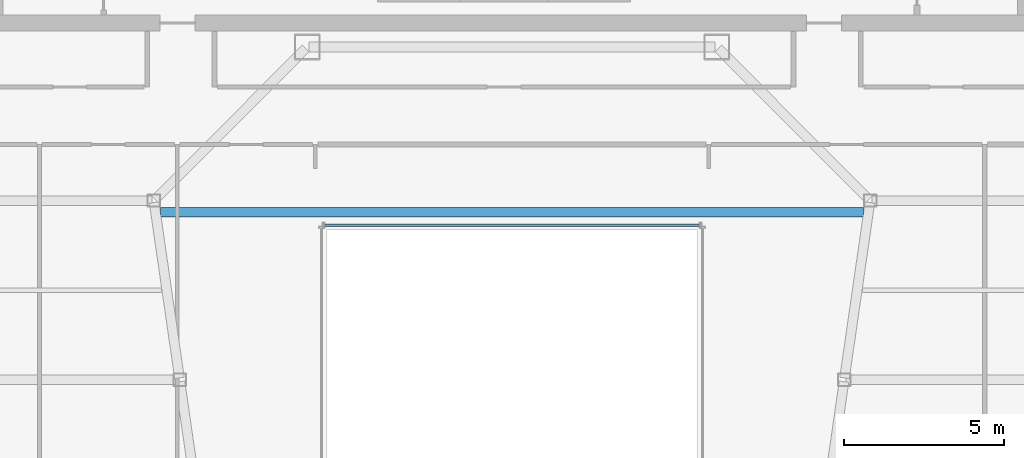
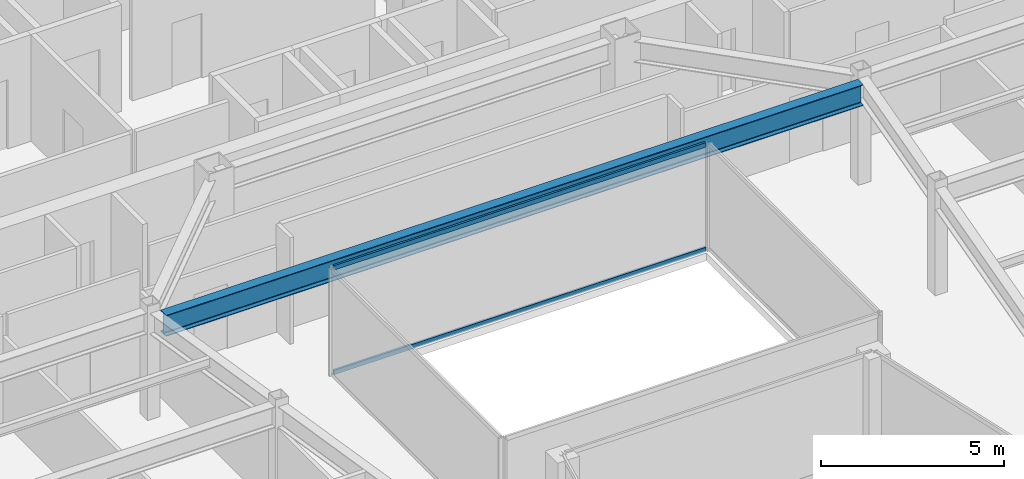
# One storey, part 14 of 35: 2 members, 1 beam, 1 element without a shape of its own.
"""IFC4 building model written with IfcOpenShell, lengths in metres."""

from ifc_helpers import new_model, si_unit, direction, frame, origin, origin_2d, place, context, subcontext, project, spatial, hollow_rectangle, i_section, extrude, material, material_profile, profile_set, type_object, element, aggregate, save


model = new_model("IFC4")

# Units and contexts
model_context = context("Model", 3, precision=1e-05, world=origin(), true_north=direction((0.0, 1.0)))
body_context = subcontext(model_context, "Body", "Model", "MODEL_VIEW")
ifc_project = project(units=[si_unit("LENGTHUNIT", "METRE"), si_unit("AREAUNIT", "SQUARE_METRE"), si_unit("VOLUMEUNIT", "CUBIC_METRE"), si_unit("PLANEANGLEUNIT", "RADIAN"), si_unit("MASSUNIT", "GRAM", prefix="KILO")], contexts=[model_context])

# Site, building, storey
site_placement = place(None, origin())
site = spatial("IfcSite", under=ifc_project, at=site_placement, CompositionType="ELEMENT")
building_placement = place(site_placement, origin())
building = spatial("IfcBuilding", under=site, at=building_placement, Name="Saevonmaru Cultural Tower", CompositionType="ELEMENT")
storey_placement = place(building_placement, frame((0.0, 0.0, 190.39990234375)))
storey = spatial("IfcBuildingStorey", under=building, at=storey_placement, Name="L43", CompositionType="ELEMENT", Elevation=190.39990234375)

# Beam
ifc_material_1 = material(Name="Steel SM355", Category="steel")
ifc_material_profile_1 = material_profile(ifc_material_1, i_section(OverallWidth=0.300048828125, OverallDepth=0.699951171875, WebThickness=0.012939453125, FlangeThickness=0.02392578125, FilletRadius=0.02587890625, at=origin_2d()), Name="H-700x300x13x24")
ifc_profile_set_1 = profile_set([ifc_material_profile_1], Name="Steel SM355")
beam_type = type_object("IfcBeamType", Name="BM-G-H700", PredefinedType="BEAM", material=ifc_profile_set_1)
beam_placement = place(storey_placement, frame((19.01806640625, 37.239990234375, 3.2001953125), z_axis=(1.0, 0.0, 0.0), x_axis=(0.0, 1.0, 0.0)))
element("IfcBeam", 1, at=beam_placement, inside=storey, type_object=beam_type, Name="L43 Central Link Girder", PredefinedType="BEAM", context=body_context, shape_type="SweptSolid", body=[
    extrude(i_section(OverallWidth=0.300048828125, OverallDepth=0.699951171875, WebThickness=0.012939453125, FlangeThickness=0.02392578125, FilletRadius=0.02587890625, at=origin_2d()), origin(), (0.0, 0.0, 1.0), 21.9638671875),
])

# Curtain wall, members
ifc_material_2 = material(Name="Satin Bronze Anodised Aluminium", Category="aluminium")
curtain_wall_type = type_object("IfcCurtainWallType", Name="CW-ATR-GLZ", PredefinedType="NOTDEFINED", material=ifc_material_2)
curtain_wall_placement = place(storey_placement, origin())
curtain_wall = element("IfcCurtainWall", 2, at=curtain_wall_placement, inside=storey, type_object=curtain_wall_type, Name="L43 Vertical Atrium Glazed Smoke Screen 3", PredefinedType="NOTDEFINED")
ifc_material_profile_2 = material_profile(ifc_material_2, hollow_rectangle(XDim=0.06494140625, YDim=0.14990234375, WallThickness=0.00390625, at=origin_2d()), Name="ALU-TRAN-150x65x4")
ifc_profile_set_2 = profile_set([ifc_material_profile_2], Name="Satin Bronze Anodised Aluminium")
member_type = type_object("IfcMemberType", Name="TR-CW-INT-150x65", PredefinedType="USERDEFINED", material=ifc_profile_set_2)
member_1_placement = place(storey_placement, frame((35.857421875, 36.830078125, 0.03271484375), z_axis=(-1.0, 0.0, 0.0), x_axis=(0.0, -1.0, 0.0)))
member_1 = element("IfcMember", 3, at=member_1_placement, type_object=member_type, Name="CW-ATR-L43-3 transom 1.1", ObjectType="TRANSOM", PredefinedType="USERDEFINED", context=body_context, shape_type="SweptSolid", body=[
    extrude(hollow_rectangle(XDim=0.06494140625, YDim=0.14990234375, WallThickness=0.00390625, at=origin_2d()), origin(), (0.0, 0.0, 1.0), 11.71484375),
])
member_2_placement = place(storey_placement, frame((35.857421875, 36.830078125, 3.517578125), z_axis=(-1.0, 0.0, 0.0), x_axis=(0.0, -1.0, 0.0)))
member_2 = element("IfcMember", 4, at=member_2_placement, type_object=member_type, Name="CW-ATR-L43-3 transom 1.2", ObjectType="TRANSOM", PredefinedType="USERDEFINED", context=body_context, shape_type="SweptSolid", body=[
    extrude(hollow_rectangle(XDim=0.06494140625, YDim=0.14990234375, WallThickness=0.00390625, at=origin_2d()), origin(), (0.0, 0.0, 1.0), 11.71484375),
])
aggregate(curtain_wall, [member_1, member_2])

save(model, "model.ifc")
